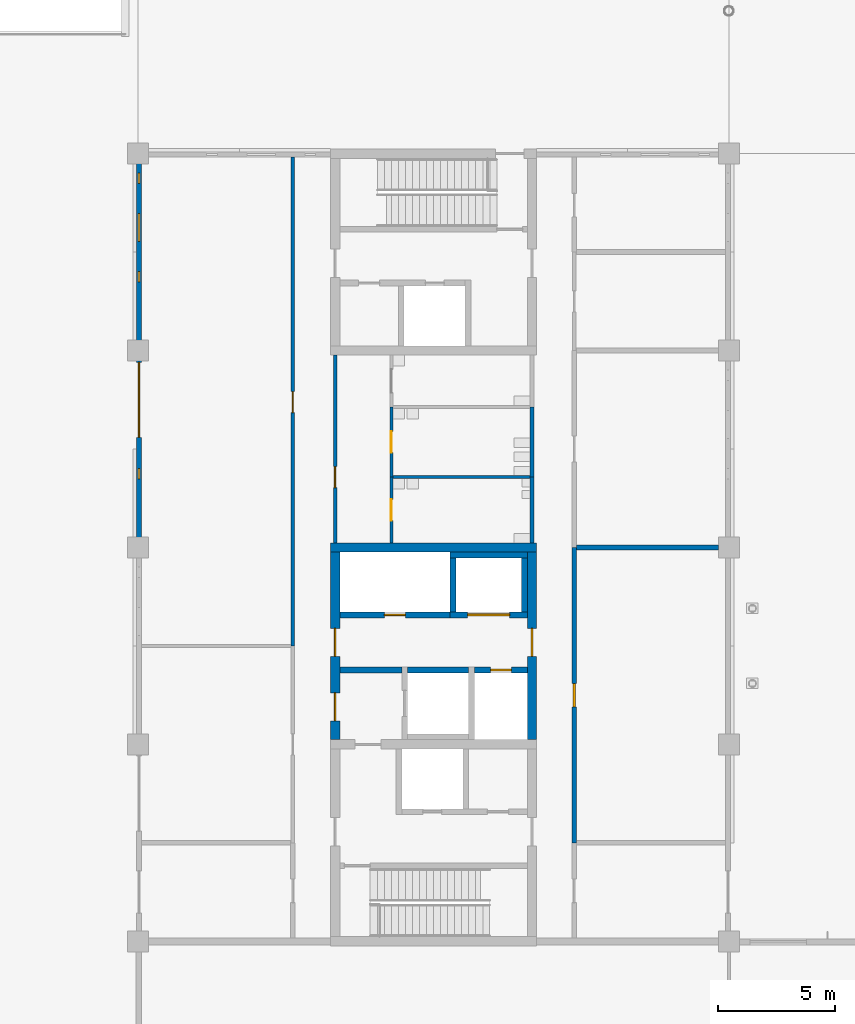
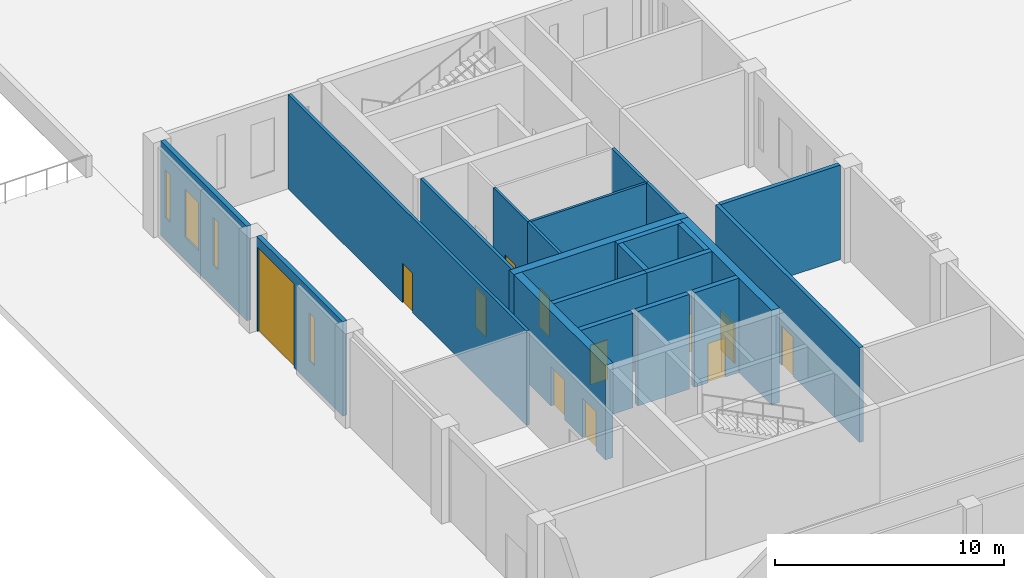
# One storey, part 35 of 76: 22 walls, 12 doors, 4 windows, 16 openings.
"""IFC4 building model written with IfcOpenShell, lengths in metres."""

from ifc_helpers import new_model, si_unit, direction, frame, frame_2d, origin, place, context, subcontext, project, spatial, rectangle, extrude, material, layer, layer_set, type_object, element, fill, save


model = new_model("IFC4")

# Units and contexts
model_context = context("Model", 3, precision=1e-05, world=origin(), true_north=direction((0.0, 1.0)))
body_context = subcontext(model_context, "Body", "Model", "MODEL_VIEW")
ifc_project = project(units=[si_unit("LENGTHUNIT", "METRE"), si_unit("AREAUNIT", "SQUARE_METRE"), si_unit("VOLUMEUNIT", "CUBIC_METRE"), si_unit("PLANEANGLEUNIT", "RADIAN"), si_unit("MASSUNIT", "GRAM", prefix="KILO")], contexts=[model_context])

# Site, building, storey
site_placement = place(None, origin())
site = spatial("IfcSite", under=ifc_project, at=site_placement, CompositionType="ELEMENT")
building_placement = place(site_placement, origin())
building = spatial("IfcBuilding", under=site, at=building_placement, Name="Hlaing Beacon Police Headquarters", CompositionType="ELEMENT")
storey_placement = place(building_placement, origin())
storey = spatial("IfcBuildingStorey", under=building, at=storey_placement, Name="L00", CompositionType="ELEMENT", Elevation=0.0)

# Wall
ifc_material_1 = material(Name="Concrete C60/75", Category="concrete")
ifc_layer_1 = layer(ifc_material_1, 0.39990234375)
ifc_layer_set_1 = layer_set([ifc_layer_1], Name="Concrete C60/75")
wall_type_1 = type_object("IfcWallType", Name="Core shear wall 400", PredefinedType="SHEAR", material=ifc_layer_set_1)
wall_1_placement = place(storey_placement, frame((16.60009765625, 50.39990234375, 0.0), z_axis=(0.0, 0.0, 1.0), x_axis=(1.0, 0.0, 0.0)))
element("IfcWall", 1, at=wall_1_placement, inside=storey, type_object=wall_type_1, Name="Core shear wall", PredefinedType="SHEAR", context=body_context, shape_type="SweptSolid", body=[
    extrude(rectangle(XDim=8.7998046875, YDim=0.39990234375, at=frame_2d((4.39990234375, 0.0))), origin(), (0.0, 0.0, 1.0), 5.050048828125),
])

# Wall, openings, doors
wall_2_placement = place(storey_placement, frame((16.800048828125, 42.199951171875, 0.0), z_axis=(0.0, 0.0, 1.0), x_axis=(0.0, 1.0, 0.0)))
wall_2 = element("IfcWall", 2, at=wall_2_placement, inside=storey, type_object=wall_type_1, Name="Core shear wall", PredefinedType="SHEAR", context=body_context, shape_type="SweptSolid", body=[
    extrude(rectangle(XDim=8.0, YDim=0.39990234375, at=frame_2d((4.0, 0.0))), origin(), (0.0, 0.0, 1.0), 5.050048828125),
])
opening_1_placement = place(wall_2_placement, frame((3.550048828125, 0.0, 0.0)))
opening_1 = element("IfcOpeningElement", 3, at=opening_1_placement, cuts=wall_2, Name="Opening L00-960", PredefinedType="OPENING", context=body_context, shape_type="SweptSolid", body=[
    extrude(rectangle(XDim=1.199951171875, YDim=2.10009765625, at=frame_2d((0.60009765625, 1.050048828125))), frame((0.0, 0.2099609375, 0.0), z_axis=(0.0, -1.0, 0.0), x_axis=(1.0, 0.0, 0.0)), (0.0, 0.0, 1.0), 0.419921875),
])
opening_2_placement = place(wall_2_placement, frame((0.800048828125, 0.0, 0.0)))
opening_2 = element("IfcOpeningElement", 4, at=opening_2_placement, cuts=wall_2, Name="Opening L00-962", PredefinedType="OPENING", context=body_context, shape_type="SweptSolid", body=[
    extrude(rectangle(XDim=1.199951171875, YDim=2.10009765625, at=frame_2d((0.60009765625, 1.050048828125))), frame((0.0, 0.2099609375, 0.0), z_axis=(0.0, -1.0, 0.0), x_axis=(1.0, 0.0, 0.0)), (0.0, 0.0, 1.0), 0.419921875),
])
ifc_material_2 = material(Name="Steel fire door leaf", Category="steel")
ifc_layer_2 = layer(ifc_material_2, 0.070068359375)
ifc_layer_set_2 = layer_set([ifc_layer_2], Name="Steel fire door leaf")
door_type_1 = type_object("IfcDoorType", Name="Steel fire door FD60S 1200x2100", OperationType="SINGLE_SWING_LEFT", PredefinedType="DOOR", material=ifc_layer_set_2)
door_1_placement = place(opening_1_placement, frame((1.199951171875, 0.0, 0.0), z_axis=(0.0, 0.0, 1.0), x_axis=(-1.0, 0.0, 0.0)))
door_1 = element("IfcDoor", 5, at=door_1_placement, inside=storey, type_object=door_type_1, Name="Door Lift Lobby Entry", OperationType="SINGLE_SWING_RIGHT", OverallHeight=2.10009765625, OverallWidth=1.199951171875, PredefinedType="DOOR", context=body_context, shape_type="SweptSolid", body=[
    extrude(rectangle(XDim=1.199951171875, YDim=2.10009765625, at=frame_2d((0.599853515625, 1.050048828125))), frame((0.0, 0.034912109375, 0.0), z_axis=(0.0, -1.0, 0.0), x_axis=(1.0, 0.0, 0.0)), (0.0, 0.0, 1.0), 0.070068359375),
])
fill(opening_1, door_1)
door_2_placement = place(opening_2_placement, frame((1.199951171875, 0.0, 0.0), z_axis=(0.0, 0.0, 1.0), x_axis=(-1.0, 0.0, 0.0)))
door_2 = element("IfcDoor", 6, at=door_2_placement, inside=storey, type_object=door_type_1, Name="Door Firefighting Lobby Entry", OperationType="SINGLE_SWING_LEFT", OverallHeight=2.10009765625, OverallWidth=1.199951171875, PredefinedType="DOOR", context=body_context, shape_type="SweptSolid", body=[
    extrude(rectangle(XDim=1.199951171875, YDim=2.10009765625, at=frame_2d((0.599853515625, 1.050048828125))), frame((0.0, 0.034912109375, 0.0), z_axis=(0.0, -1.0, 0.0), x_axis=(1.0, 0.0, 0.0)), (0.0, 0.0, 1.0), 0.070068359375),
])
fill(opening_2, door_2)

# Wall, opening, door
wall_3_placement = place(storey_placement, frame((25.199951171875, 42.199951171875, 0.0), z_axis=(0.0, 0.0, 1.0), x_axis=(0.0, 1.0, 0.0)))
wall_3 = element("IfcWall", 7, at=wall_3_placement, inside=storey, type_object=wall_type_1, Name="Core shear wall", PredefinedType="SHEAR", context=body_context, shape_type="SweptSolid", body=[
    extrude(rectangle(XDim=8.0, YDim=0.39990234375, at=frame_2d((4.0, 0.0))), origin(), (0.0, 0.0, 1.0), 5.050048828125),
])
opening_3_placement = place(wall_3_placement, frame((3.550048828125, 0.0, 0.0)))
opening_3 = element("IfcOpeningElement", 8, at=opening_3_placement, cuts=wall_3, Name="Opening L00-961", PredefinedType="OPENING", context=body_context, shape_type="SweptSolid", body=[
    extrude(rectangle(XDim=1.199951171875, YDim=2.10009765625, at=frame_2d((0.60009765625, 1.050048828125))), frame((0.0, 0.2099609375, 0.0), z_axis=(0.0, -1.0, 0.0), x_axis=(1.0, 0.0, 0.0)), (0.0, 0.0, 1.0), 0.419921875),
])
door_3_placement = place(opening_3_placement, origin())
door_3 = element("IfcDoor", 9, at=door_3_placement, inside=storey, type_object=door_type_1, Name="Door Lift Lobby Entry", OperationType="SINGLE_SWING_LEFT", OverallHeight=2.10009765625, OverallWidth=1.199951171875, PredefinedType="DOOR", context=body_context, shape_type="SweptSolid", body=[
    extrude(rectangle(XDim=1.199951171875, YDim=2.10009765625, at=frame_2d((0.60009765625, 1.050048828125))), frame((0.0, 0.03515625, 0.0), z_axis=(0.0, -1.0, 0.0), x_axis=(1.0, 0.0, 0.0)), (0.0, 0.0, 1.0), 0.070068359375),
])
fill(opening_3, door_3)

# Walls
ifc_material_3 = material(Name="Gypsum board partition")
ifc_layer_3 = layer(ifc_material_3, 0.14990234375)
ifc_layer_set_3 = layer_set([ifc_layer_3], Name="Gypsum board partition")
wall_type_2 = type_object("IfcWallType", Name="Corridor wall EI 30 150", PredefinedType="PARTITIONING", material=ifc_layer_set_3)
wall_4_placement = place(storey_placement, frame((25.199951171875, 53.39990234375, 0.0), z_axis=(0.0, 0.0, 1.0), x_axis=(0.0, 1.0, 0.0)))
element("IfcWall", 10, at=wall_4_placement, inside=storey, type_object=wall_type_2, Name="Corridor wall EI 30 150", PredefinedType="PARTITIONING", context=body_context, shape_type="SweptSolid", body=[
    extrude(rectangle(XDim=3.0, YDim=0.14990234375, at=frame_2d((1.5, 0.0))), origin(), (0.0, 0.0, 1.0), 5.050048828125),
])
wall_5_placement = place(storey_placement, frame((25.199951171875, 50.60009765625, 0.0), z_axis=(0.0, 0.0, 1.0), x_axis=(0.0, 1.0, 0.0)))
element("IfcWall", 11, at=wall_5_placement, inside=storey, type_object=wall_type_2, Name="Corridor wall EI 30 150", PredefinedType="PARTITIONING", context=body_context, shape_type="SweptSolid", body=[
    extrude(rectangle(XDim=2.7998046875, YDim=0.14990234375, at=frame_2d((1.39990234375, 0.0))), origin(), (0.0, 0.0, 1.0), 5.050048828125),
])

# Wall, opening, door
wall_6_placement = place(storey_placement, frame((16.800048828125, 50.60009765625, 0.0), z_axis=(0.0, 0.0, 1.0), x_axis=(0.0, 1.0, 0.0)))
wall_6 = element("IfcWall", 12, at=wall_6_placement, inside=storey, type_object=wall_type_2, Name="Corridor wall EI 30 150", PredefinedType="PARTITIONING", context=body_context, shape_type="SweptSolid", body=[
    extrude(rectangle(XDim=8.0, YDim=0.14990234375, at=frame_2d((4.0, 0.0))), origin(), (0.0, 0.0, 1.0), 5.050048828125),
])
opening_4_placement = place(wall_6_placement, frame((2.35009765625, 0.0, 0.0)))
opening_4 = element("IfcOpeningElement", 13, at=opening_4_placement, cuts=wall_6, Name="Opening L00-071", PredefinedType="OPENING", context=body_context, shape_type="SweptSolid", body=[
    extrude(rectangle(XDim=0.89990234375, YDim=2.10009765625, at=frame_2d((0.449951171875, 1.050048828125))), frame((0.0, 0.0849609375, 0.0), z_axis=(0.0, -1.0, 0.0), x_axis=(1.0, 0.0, 0.0)), (0.0, 0.0, 1.0), 0.169921875),
])
ifc_material_4 = material(Name="Hardwood door leaf", Category="wood")
ifc_layer_4 = layer(ifc_material_4, 0.050048828125)
ifc_layer_set_4 = layer_set([ifc_layer_4], Name="Hardwood door leaf")
door_type_2 = type_object("IfcDoorType", Name="Fire door FD30S 900x2100", OperationType="SINGLE_SWING_LEFT", PredefinedType="DOOR", material=ifc_layer_set_4)
door_4_placement = place(opening_4_placement, frame((0.89990234375, 0.0, 0.0), z_axis=(0.0, 0.0, 1.0), x_axis=(-1.0, 0.0, 0.0)))
door_4 = element("IfcDoor", 14, at=door_4_placement, inside=storey, type_object=door_type_2, Name="Door WC Lobby", OperationType="SINGLE_SWING_LEFT", OverallHeight=2.10009765625, OverallWidth=0.89990234375, PredefinedType="DOOR", context=body_context, shape_type="SweptSolid", body=[
    extrude(rectangle(XDim=0.89990234375, YDim=2.10009765625, at=frame_2d((0.449951171875, 1.050048828125))), frame((0.0, 0.025146484375, 0.0), z_axis=(0.0, -1.0, 0.0), x_axis=(1.0, 0.0, 0.0)), (0.0, 0.0, 1.0), 0.050048828125),
])
fill(opening_4, door_4)

wall_7_placement = place(storey_placement, frame((15.0, 46.199951171875, 0.0), z_axis=(0.0, 0.0, 1.0), x_axis=(0.0, 1.0, 0.0)))
wall_7 = element("IfcWall", 15, at=wall_7_placement, inside=storey, type_object=wall_type_2, Name="Corridor wall EI 30 150", PredefinedType="PARTITIONING", context=body_context, shape_type="SweptSolid", body=[
    extrude(rectangle(XDim=20.85009765625, YDim=0.14990234375, at=frame_2d((10.425048828125, 0.0))), origin(), (0.0, 0.0, 1.0), 5.050048828125),
])
opening_5_placement = place(wall_7_placement, frame((9.949951171875, 0.0, 0.0)))
opening_5 = element("IfcOpeningElement", 16, at=opening_5_placement, cuts=wall_7, Name="Opening L00-075", PredefinedType="OPENING", context=body_context, shape_type="SweptSolid", body=[
    extrude(rectangle(XDim=0.89990234375, YDim=2.10009765625, at=frame_2d((0.449951171875, 1.050048828125))), frame((0.0, 0.0849609375, 0.0), z_axis=(0.0, -1.0, 0.0), x_axis=(1.0, 0.0, 0.0)), (0.0, 0.0, 1.0), 0.169921875),
])
door_5_placement = place(opening_5_placement, origin())
door_5 = element("IfcDoor", 17, at=door_5_placement, inside=storey, type_object=door_type_2, Name="Door Vehicle Examination Bay", OperationType="SINGLE_SWING_LEFT", OverallHeight=2.10009765625, OverallWidth=0.89990234375, PredefinedType="DOOR", context=body_context, shape_type="SweptSolid", body=[
    extrude(rectangle(XDim=0.89990234375, YDim=2.10009765625, at=frame_2d((0.449951171875, 1.050048828125))), frame((0.0, 0.02490234375, 0.0), z_axis=(0.0, -1.0, 0.0), x_axis=(1.0, 0.0, 0.0)), (0.0, 0.0, 1.0), 0.050048828125),
])
fill(opening_5, door_5)

ifc_material_5 = material(Name="Concrete blockwork 7.5 N/mm2", Category="masonry")
ifc_layer_5 = layer(ifc_material_5, 0.199951171875)
ifc_layer_set_5 = layer_set([ifc_layer_5], Name="Concrete blockwork 7.5 N/mm2")
wall_type_3 = type_object("IfcWallType", Name="Evidence store wall EI 60 200", PredefinedType="PARTITIONING", material=ifc_layer_set_5)
wall_8_placement = place(storey_placement, frame((27.0, 37.800048828125, 0.0), z_axis=(0.0, 0.0, 1.0), x_axis=(0.0, 1.0, 0.0)))
wall_8 = element("IfcWall", 18, at=wall_8_placement, inside=storey, type_object=wall_type_3, Name="Evidence store wall EI 60 200", PredefinedType="PARTITIONING", context=body_context, shape_type="SweptSolid", body=[
    extrude(rectangle(XDim=12.599853515625, YDim=0.199951171875, at=frame_2d((6.2998046875, 0.0))), origin(), (0.0, 0.0, 1.0), 5.050048828125),
])
opening_6_placement = place(wall_8_placement, frame((5.800048828125, 0.0, 0.0)))
opening_6 = element("IfcOpeningElement", 19, at=opening_6_placement, cuts=wall_8, Name="Opening L00-065", PredefinedType="OPENING", context=body_context, shape_type="SweptSolid", body=[
    extrude(rectangle(XDim=1.0, YDim=2.10009765625, at=frame_2d((0.5, 1.050048828125))), frame((0.0, 0.10986328125, 0.0), z_axis=(0.0, -1.0, 0.0), x_axis=(1.0, 0.0, 0.0)), (0.0, 0.0, 1.0), 0.219970703125),
])
ifc_material_6 = material(Name="Steel vault door leaf", Category="steel")
ifc_layer_6 = layer(ifc_material_6, 0.110107421875)
ifc_layer_set_6 = layer_set([ifc_layer_6], Name="Steel vault door leaf")
door_type_3 = type_object("IfcDoorType", Name="Steel vault door FD60 1000x2100", OperationType="SINGLE_SWING_LEFT", PredefinedType="DOOR", material=ifc_layer_set_6)
door_6_placement = place(opening_6_placement, frame((1.0, 0.0, 0.0), z_axis=(0.0, 0.0, 1.0), x_axis=(-1.0, 0.0, 0.0)))
door_6 = element("IfcDoor", 20, at=door_6_placement, inside=storey, type_object=door_type_3, Name="Door Evidence Reception and Exhibit Store", OperationType="SINGLE_SWING_LEFT", OverallHeight=2.10009765625, OverallWidth=1.0, PredefinedType="DOOR", context=body_context, shape_type="SweptSolid", body=[
    extrude(rectangle(XDim=1.0, YDim=2.10009765625, at=frame_2d((0.5, 1.050048828125))), frame((0.0, 0.054931640625, 0.0), z_axis=(0.0, -1.0, 0.0), x_axis=(1.0, 0.0, 0.0)), (0.0, 0.0, 1.0), 0.110107421875),
])
fill(opening_6, door_6)

# Wall
wall_9_placement = place(storey_placement, frame((27.10009765625, 50.39990234375, 0.0), z_axis=(0.0, 0.0, 1.0), x_axis=(1.0, 0.0, 0.0)))
element("IfcWall", 21, at=wall_9_placement, inside=storey, type_object=wall_type_3, Name="Evidence store wall EI 60 200", PredefinedType="PARTITIONING", context=body_context, shape_type="SweptSolid", body=[
    extrude(rectangle(XDim=6.0498046875, YDim=0.199951171875, at=frame_2d((3.02490234375, 0.0))), origin(), (0.0, 0.0, 1.0), 5.050048828125),
])

# Wall, opening, door
ifc_material_7 = material(Name="Gypsum board partition")
ifc_layer_7 = layer(ifc_material_7, 0.125)
ifc_layer_set_7 = layer_set([ifc_layer_7], Name="Gypsum board partition")
wall_type_4 = type_object("IfcWallType", Name="Partition 125", PredefinedType="PARTITIONING", material=ifc_layer_set_7)
wall_10_placement = place(storey_placement, frame((19.199951171875, 53.39990234375, 0.0), z_axis=(0.0, 0.0, 1.0), x_axis=(0.0, 1.0, 0.0)))
wall_10 = element("IfcWall", 22, at=wall_10_placement, inside=storey, type_object=wall_type_4, Name="Partition 125", PredefinedType="PARTITIONING", context=body_context, shape_type="SweptSolid", body=[
    extrude(rectangle(XDim=3.0, YDim=0.125, at=frame_2d((1.5, 0.0))), origin(), (0.0, 0.0, 1.0), 5.050048828125),
])
opening_7_placement = place(wall_10_placement, frame((1.050048828125, 0.0, 0.0)))
opening_7 = element("IfcOpeningElement", 23, at=opening_7_placement, cuts=wall_10, Name="Opening L00-070", PredefinedType="OPENING", context=body_context, shape_type="SweptSolid", body=[
    extrude(rectangle(XDim=0.89990234375, YDim=2.10009765625, at=frame_2d((0.449951171875, 1.050048828125))), frame((0.0, 0.072509765625, 0.0), z_axis=(0.0, -1.0, 0.0), x_axis=(1.0, 0.0, 0.0)), (0.0, 0.0, 1.0), 0.14501953125),
])
ifc_material_8 = material(Name="Hardwood door leaf", Category="wood")
ifc_layer_8 = layer(ifc_material_8, 0.0400390625)
ifc_layer_set_8 = layer_set([ifc_layer_8], Name="Hardwood door leaf")
door_type_4 = type_object("IfcDoorType", Name="Door 900x2100", OperationType="SINGLE_SWING_LEFT", PredefinedType="DOOR", material=ifc_layer_set_8)
door_7_placement = place(opening_7_placement, frame((0.89990234375, 0.0, 0.0), z_axis=(0.0, 0.0, 1.0), x_axis=(-1.0, 0.0, 0.0)))
door_7 = element("IfcDoor", 24, at=door_7_placement, inside=storey, type_object=door_type_4, Name="Door Female WC", OperationType="SINGLE_SWING_RIGHT", OverallHeight=2.10009765625, OverallWidth=0.89990234375, PredefinedType="DOOR", context=body_context, shape_type="SweptSolid", body=[
    extrude(rectangle(XDim=0.89990234375, YDim=2.10009765625, at=frame_2d((0.449951171875, 1.050048828125))), frame((0.0, 0.02001953125, 0.0), z_axis=(0.0, -1.0, 0.0), x_axis=(1.0, 0.0, 0.0)), (0.0, 0.0, 1.0), 0.0400390625),
])
fill(opening_7, door_7)

# Wall
wall_11_placement = place(storey_placement, frame((19.261962890625, 53.39990234375, 0.0), z_axis=(0.0, 0.0, 1.0), x_axis=(1.0, 0.0, 0.0)))
element("IfcWall", 25, at=wall_11_placement, inside=storey, type_object=wall_type_4, Name="Partition 125", PredefinedType="PARTITIONING", context=body_context, shape_type="SweptSolid", body=[
    extrude(rectangle(XDim=5.863037109375, YDim=0.125, at=frame_2d((2.931640625, 0.0))), origin(), (0.0, 0.0, 1.0), 5.050048828125),
])

# Wall, opening, door
wall_12_placement = place(storey_placement, frame((19.199951171875, 50.60009765625, 0.0), z_axis=(0.0, 0.0, 1.0), x_axis=(0.0, 1.0, 0.0)))
wall_12 = element("IfcWall", 26, at=wall_12_placement, inside=storey, type_object=wall_type_4, Name="Partition 125", PredefinedType="PARTITIONING", context=body_context, shape_type="SweptSolid", body=[
    extrude(rectangle(XDim=2.7998046875, YDim=0.125, at=frame_2d((1.39990234375, 0.0))), origin(), (0.0, 0.0, 1.0), 5.050048828125),
])
opening_8_placement = place(wall_12_placement, frame((0.949951171875, 0.0, 0.0)))
opening_8 = element("IfcOpeningElement", 27, at=opening_8_placement, cuts=wall_12, Name="Opening L00-072", PredefinedType="OPENING", context=body_context, shape_type="SweptSolid", body=[
    extrude(rectangle(XDim=0.89990234375, YDim=2.10009765625, at=frame_2d((0.449951171875, 1.050048828125))), frame((0.0, 0.072509765625, 0.0), z_axis=(0.0, -1.0, 0.0), x_axis=(1.0, 0.0, 0.0)), (0.0, 0.0, 1.0), 0.14501953125),
])
door_8_placement = place(opening_8_placement, frame((0.89990234375, 0.0, 0.0), z_axis=(0.0, 0.0, 1.0), x_axis=(-1.0, 0.0, 0.0)))
door_8 = element("IfcDoor", 28, at=door_8_placement, inside=storey, type_object=door_type_4, Name="Door Male WC", OperationType="SINGLE_SWING_RIGHT", OverallHeight=2.10009765625, OverallWidth=0.89990234375, PredefinedType="DOOR", context=body_context, shape_type="SweptSolid", body=[
    extrude(rectangle(XDim=0.89990234375, YDim=2.10009765625, at=frame_2d((0.449951171875, 1.050048828125))), frame((0.0, 0.02001953125, 0.0), z_axis=(0.0, -1.0, 0.0), x_axis=(1.0, 0.0, 0.0)), (0.0, 0.0, 1.0), 0.0400390625),
])
fill(opening_8, door_8)

# Wall, openings, windows
ifc_material_9 = material(Name="Fibre cement ribbed cladding on insulated frame")
ifc_layer_9 = layer(ifc_material_9, 0.22509765625)
ifc_layer_set_9 = layer_set([ifc_layer_9], Name="Fibre cement ribbed cladding on insulated frame")
wall_type_5 = type_object("IfcWallType", Name="Ribbed fibre-cement clad wall 225", PredefinedType="SOLIDWALL", material=ifc_layer_set_9)
wall_13_placement = place(storey_placement, frame((8.4375, 66.77001953125, 0.0), z_axis=(0.0, 0.0, 1.0), x_axis=(0.0, -1.0, 0.0)))
wall_13 = element("IfcWall", 29, at=wall_13_placement, inside=storey, type_object=wall_type_5, Name="External wall L00 W010", PredefinedType="SOLIDWALL", context=body_context, shape_type="SweptSolid", body=[
    extrude(rectangle(XDim=7.5400390625, YDim=0.22509765625, at=frame_2d((3.77001953125, 0.0))), origin(), (0.0, 0.0, 1.0), 5.050048828125),
])
opening_9_placement = place(wall_13_placement, frame((0.39501953125, 0.0, 1.199951171875)))
opening_9 = element("IfcOpeningElement", 30, at=opening_9_placement, cuts=wall_13, Name="Opening WN6", PredefinedType="OPENING", context=body_context, shape_type="SweptSolid", body=[
    extrude(rectangle(XDim=0.449951171875, YDim=2.550048828125, at=frame_2d((0.22509765625, 1.27490234375))), frame((0.0, 0.12255859375, 0.0), z_axis=(0.0, -1.0, 0.0), x_axis=(1.0, 0.0, 0.0)), (0.0, 0.0, 1.0), 0.2451171875),
])
opening_10_placement = place(wall_13_placement, frame((2.1201171875, 0.0, 1.199951171875)))
opening_10 = element("IfcOpeningElement", 31, at=opening_10_placement, cuts=wall_13, Name="Opening WN7", PredefinedType="OPENING", context=body_context, shape_type="SweptSolid", body=[
    extrude(rectangle(XDim=1.199951171875, YDim=2.550048828125, at=frame_2d((0.60009765625, 1.27490234375))), frame((0.0, 0.12255859375, 0.0), z_axis=(0.0, -1.0, 0.0), x_axis=(1.0, 0.0, 0.0)), (0.0, 0.0, 1.0), 0.2451171875),
])
opening_11_placement = place(wall_13_placement, frame((4.594970703125, 0.0, 1.199951171875)))
opening_11 = element("IfcOpeningElement", 32, at=opening_11_placement, cuts=wall_13, Name="Opening WN6", PredefinedType="OPENING", context=body_context, shape_type="SweptSolid", body=[
    extrude(rectangle(XDim=0.449951171875, YDim=2.550048828125, at=frame_2d((0.22509765625, 1.27490234375))), frame((0.0, 0.12255859375, 0.0), z_axis=(0.0, -1.0, 0.0), x_axis=(1.0, 0.0, 0.0)), (0.0, 0.0, 1.0), 0.2451171875),
])
ifc_material_10 = material(Name="Aluminium frame with solar control glazing", Category="aluminium")
window_type_1 = type_object("IfcWindowType", Name="Module window 1200x2550 frame 100", PartitioningType="SINGLE_PANEL", PredefinedType="WINDOW", material=ifc_material_10)
window_1_placement = place(opening_10_placement, origin())
window_1 = element("IfcWindow", 33, at=window_1_placement, inside=storey, type_object=window_type_1, Name="Window L00 WC", OverallHeight=2.550048828125, OverallWidth=1.199951171875, PartitioningType="SINGLE_PANEL", PredefinedType="WINDOW", context=body_context, shape_type="SweptSolid", body=[
    extrude(rectangle(XDim=1.199951171875, YDim=2.550048828125, at=frame_2d((0.60009765625, 1.27490234375))), frame((0.0, 0.050048828125, 0.0), z_axis=(0.0, -1.0, 0.0), x_axis=(1.0, 0.0, 0.0)), (0.0, 0.0, 1.0), 0.10009765625),
])
fill(opening_10, window_1)
ifc_material_11 = material(Name="Aluminium frame with solar control glazing", Category="aluminium")
window_type_2 = type_object("IfcWindowType", Name="Slot window 450x2550 frame 100", PartitioningType="SINGLE_PANEL", PredefinedType="WINDOW", material=ifc_material_11)
window_2_placement = place(opening_9_placement, origin())
window_2 = element("IfcWindow", 34, at=window_2_placement, inside=storey, type_object=window_type_2, Name="Window L00 WS", OverallHeight=2.550048828125, OverallWidth=0.449951171875, PartitioningType="SINGLE_PANEL", PredefinedType="WINDOW", context=body_context, shape_type="SweptSolid", body=[
    extrude(rectangle(XDim=0.449951171875, YDim=2.550048828125, at=frame_2d((0.22509765625, 1.27490234375))), frame((0.0, 0.050048828125, 0.0), z_axis=(0.0, -1.0, 0.0), x_axis=(1.0, 0.0, 0.0)), (0.0, 0.0, 1.0), 0.10009765625),
])
fill(opening_9, window_2)
window_3_placement = place(opening_11_placement, origin())
window_3 = element("IfcWindow", 35, at=window_3_placement, inside=storey, type_object=window_type_2, Name="Window L00 WS", OverallHeight=2.550048828125, OverallWidth=0.449951171875, PartitioningType="SINGLE_PANEL", PredefinedType="WINDOW", context=body_context, shape_type="SweptSolid", body=[
    extrude(rectangle(XDim=0.449951171875, YDim=2.550048828125, at=frame_2d((0.22509765625, 1.27490234375))), frame((0.0, 0.050048828125, 0.0), z_axis=(0.0, -1.0, 0.0), x_axis=(1.0, 0.0, 0.0)), (0.0, 0.0, 1.0), 0.10009765625),
])
fill(opening_11, window_3)

# Wall, openings, window, door
wall_14_placement = place(storey_placement, frame((8.4375, 58.3701171875, 0.0), z_axis=(0.0, 0.0, 1.0), x_axis=(0.0, -1.0, 0.0)))
wall_14 = element("IfcWall", 36, at=wall_14_placement, inside=storey, type_object=wall_type_5, Name="External wall L00 W011", PredefinedType="SOLIDWALL", context=body_context, shape_type="SweptSolid", body=[
    extrude(rectangle(XDim=7.5400390625, YDim=0.22509765625, at=frame_2d((3.77001953125, 0.0))), origin(), (0.0, 0.0, 1.0), 5.050048828125),
])
opening_12_placement = place(wall_14_placement, frame((0.070068359375, 0.0, 0.0)))
opening_12 = element("IfcOpeningElement", 37, at=opening_12_placement, cuts=wall_14, Name="Opening L00-802", PredefinedType="OPENING", context=body_context, shape_type="SweptSolid", body=[
    extrude(rectangle(XDim=3.199951171875, YDim=4.5, at=frame_2d((1.60009765625, 2.25))), frame((0.0, 0.12255859375, 0.0), z_axis=(0.0, -1.0, 0.0), x_axis=(1.0, 0.0, 0.0)), (0.0, 0.0, 1.0), 0.2451171875),
])
opening_13_placement = place(wall_14_placement, frame((4.594970703125, 0.0, 1.199951171875)))
opening_13 = element("IfcOpeningElement", 38, at=opening_13_placement, cuts=wall_14, Name="Opening WN6", PredefinedType="OPENING", context=body_context, shape_type="SweptSolid", body=[
    extrude(rectangle(XDim=0.449951171875, YDim=2.550048828125, at=frame_2d((0.22509765625, 1.27490234375))), frame((0.0, 0.12255859375, 0.0), z_axis=(0.0, -1.0, 0.0), x_axis=(1.0, 0.0, 0.0)), (0.0, 0.0, 1.0), 0.2451171875),
])
window_4_placement = place(opening_13_placement, origin())
window_4 = element("IfcWindow", 39, at=window_4_placement, inside=storey, type_object=window_type_2, Name="Window L00 WS", OverallHeight=2.550048828125, OverallWidth=0.449951171875, PartitioningType="SINGLE_PANEL", PredefinedType="WINDOW", context=body_context, shape_type="SweptSolid", body=[
    extrude(rectangle(XDim=0.449951171875, YDim=2.550048828125, at=frame_2d((0.22509765625, 1.27490234375))), frame((0.0, 0.050048828125, 0.0), z_axis=(0.0, -1.0, 0.0), x_axis=(1.0, 0.0, 0.0)), (0.0, 0.0, 1.0), 0.10009765625),
])
fill(opening_13, window_4)
ifc_material_12 = material(Name="Galvanised steel roller shutter", Category="steel")
door_type_5 = type_object("IfcDoorType", Name="Vehicle gate 3200x4500", OperationType="ROLLINGUP", PredefinedType="GATE", material=ifc_material_12)
door_9_placement = place(opening_12_placement, frame((3.199951171875, 0.0, 0.0), z_axis=(0.0, 0.0, 1.0), x_axis=(-1.0, 0.0, 0.0)))
door_9 = element("IfcDoor", 40, at=door_9_placement, inside=storey, type_object=door_type_5, Name="Door Vehicle Examination Bay", OperationType="ROLLINGUP", OverallHeight=4.5, OverallWidth=3.199951171875, PredefinedType="GATE", context=body_context, shape_type="SweptSolid", body=[
    extrude(rectangle(XDim=3.199951171875, YDim=4.5, at=frame_2d((1.599853515625, 2.25))), frame((0.0, 0.025146484375, 0.0), z_axis=(0.0, -1.0, 0.0), x_axis=(1.0, 0.0, 0.0)), (0.0, 0.0, 1.0), 0.050048828125),
])
fill(opening_12, door_9)

# Wall, opening, door
ifc_material_13 = material(Name="Concrete C40/50", Category="concrete")
ifc_layer_10 = layer(ifc_material_13, 0.25)
ifc_layer_set_10 = layer_set([ifc_layer_10], Name="Concrete C40/50")
wall_type_6 = type_object("IfcWallType", Name="Shaft wall 250", PredefinedType="SOLIDWALL", material=ifc_layer_set_10)
wall_15_placement = place(storey_placement, frame((21.699951171875, 47.52490234375, 0.0), z_axis=(0.0, 0.0, 1.0), x_axis=(-1.0, 0.0, 0.0)))
wall_15 = element("IfcWall", 41, at=wall_15_placement, inside=storey, type_object=wall_type_6, Name="Lobby wall", PredefinedType="SOLIDWALL", context=body_context, shape_type="SweptSolid", body=[
    extrude(rectangle(XDim=4.699951171875, YDim=0.25, at=frame_2d((2.35009765625, 0.0))), origin(), (0.0, 0.0, 1.0), 5.050048828125),
])
opening_14_placement = place(wall_15_placement, frame((1.89990234375, 0.0, 0.0)))
opening_14 = element("IfcOpeningElement", 42, at=opening_14_placement, cuts=wall_15, Name="Opening L00-964", PredefinedType="OPENING", context=body_context, shape_type="SweptSolid", body=[
    extrude(rectangle(XDim=0.89990234375, YDim=2.10009765625, at=frame_2d((0.449951171875, 1.050048828125))), frame((0.0, 0.135009765625, 0.0), z_axis=(0.0, -1.0, 0.0), x_axis=(1.0, 0.0, 0.0)), (0.0, 0.0, 1.0), 0.27001953125),
])
ifc_material_14 = material(Name="Steel fire door leaf", Category="steel")
ifc_layer_11 = layer(ifc_material_14, 0.070068359375)
ifc_layer_set_11 = layer_set([ifc_layer_11], Name="Steel fire door leaf")
door_type_6 = type_object("IfcDoorType", Name="Steel fire door FD60 900x2100", OperationType="SINGLE_SWING_LEFT", PredefinedType="DOOR", material=ifc_layer_set_11)
door_10_placement = place(opening_14_placement, frame((0.89990234375, 0.0, 0.0), z_axis=(0.0, 0.0, 1.0), x_axis=(-1.0, 0.0, 0.0)))
door_10 = element("IfcDoor", 43, at=door_10_placement, inside=storey, type_object=door_type_6, Name="Door Services Riser", OperationType="SINGLE_SWING_RIGHT", OverallHeight=2.10009765625, OverallWidth=0.89990234375, PredefinedType="DOOR", context=body_context, shape_type="SweptSolid", body=[
    extrude(rectangle(XDim=0.89990234375, YDim=2.10009765625, at=frame_2d((0.449951171875, 1.050048828125))), frame((0.0, 0.034912109375, 0.0), z_axis=(0.0, -1.0, 0.0), x_axis=(1.0, 0.0, 0.0)), (0.0, 0.0, 1.0), 0.070068359375),
])
fill(opening_14, door_10)

wall_16_placement = place(storey_placement, frame((25.0, 45.175048828125, 0.0), z_axis=(0.0, 0.0, 1.0), x_axis=(-1.0, 0.0, 0.0)))
wall_16 = element("IfcWall", 44, at=wall_16_placement, inside=storey, type_object=wall_type_6, Name="Lobby wall", PredefinedType="SOLIDWALL", context=body_context, shape_type="SweptSolid", body=[
    extrude(rectangle(XDim=2.25, YDim=0.25, at=frame_2d((1.125, 0.0))), origin(), (0.0, 0.0, 1.0), 5.050048828125),
])
opening_15_placement = place(wall_16_placement, frame((0.675048828125, 0.0, 0.0)))
opening_15 = element("IfcOpeningElement", 45, at=opening_15_placement, cuts=wall_16, Name="Opening L00-965", PredefinedType="OPENING", context=body_context, shape_type="SweptSolid", body=[
    extrude(rectangle(XDim=0.89990234375, YDim=2.10009765625, at=frame_2d((0.449951171875, 1.050048828125))), frame((0.0, 0.135009765625, 0.0), z_axis=(0.0, -1.0, 0.0), x_axis=(1.0, 0.0, 0.0)), (0.0, 0.0, 1.0), 0.27001953125),
])
ifc_material_15 = material(Name="Steel fire door leaf", Category="steel")
ifc_layer_12 = layer(ifc_material_15, 0.10009765625)
ifc_layer_set_12 = layer_set([ifc_layer_12], Name="Steel fire door leaf")
door_type_7 = type_object("IfcDoorType", Name="Steel fire door FD120 900x2100", OperationType="SINGLE_SWING_LEFT", PredefinedType="DOOR", material=ifc_layer_set_12)
door_11_placement = place(opening_15_placement, origin())
door_11 = element("IfcDoor", 46, at=door_11_placement, inside=storey, type_object=door_type_7, Name="Door Electrical Riser Room", OperationType="SINGLE_SWING_LEFT", OverallHeight=2.10009765625, OverallWidth=0.89990234375, PredefinedType="DOOR", context=body_context, shape_type="SweptSolid", body=[
    extrude(rectangle(XDim=0.89990234375, YDim=2.10009765625, at=frame_2d((0.449951171875, 1.050048828125))), frame((0.0, 0.050048828125, 0.0), z_axis=(0.0, -1.0, 0.0), x_axis=(1.0, 0.0, 0.0)), (0.0, 0.0, 1.0), 0.10009765625),
])
fill(opening_15, door_11)

# Walls
wall_17_placement = place(storey_placement, frame((19.64990234375, 45.175048828125, 0.0), z_axis=(0.0, 0.0, 1.0), x_axis=(-1.0, 0.0, 0.0)))
element("IfcWall", 47, at=wall_17_placement, inside=storey, type_object=wall_type_6, Name="Firefighting lobby wall", PredefinedType="SOLIDWALL", context=body_context, shape_type="SweptSolid", body=[
    extrude(rectangle(XDim=2.64990234375, YDim=0.25, at=frame_2d((1.324951171875, 0.0))), origin(), (0.0, 0.0, 1.0), 5.050048828125),
])
wall_18_placement = place(storey_placement, frame((24.875, 47.64990234375, 0.0), z_axis=(0.0, 0.0, 1.0), x_axis=(0.0, 1.0, 0.0)))
element("IfcWall", 48, at=wall_18_placement, inside=storey, type_object=wall_type_6, Name="Lift shaft wall EL1", PredefinedType="SOLIDWALL", context=body_context, shape_type="SweptSolid", body=[
    extrude(rectangle(XDim=2.300048828125, YDim=0.25, at=frame_2d((1.14990234375, 0.0))), origin(), (0.0, 0.0, 1.0), 5.050048828125),
])
wall_19_placement = place(storey_placement, frame((21.699951171875, 50.074951171875, 0.0), z_axis=(0.0, 0.0, 1.0), x_axis=(1.0, 0.0, 0.0)))
element("IfcWall", 49, at=wall_19_placement, inside=storey, type_object=wall_type_6, Name="Lift shaft wall EL1", PredefinedType="SOLIDWALL", context=body_context, shape_type="SweptSolid", body=[
    extrude(rectangle(XDim=3.300048828125, YDim=0.25, at=frame_2d((1.64990234375, 0.0))), origin(), (0.0, 0.0, 1.0), 5.050048828125),
])

# Wall, opening, door
wall_20_placement = place(storey_placement, frame((21.699951171875, 47.52490234375, 0.0), z_axis=(0.0, 0.0, 1.0), x_axis=(1.0, 0.0, 0.0)))
wall_20 = element("IfcWall", 50, at=wall_20_placement, inside=storey, type_object=wall_type_6, Name="Lift shaft wall EL1", PredefinedType="SOLIDWALL", context=body_context, shape_type="SweptSolid", body=[
    extrude(rectangle(XDim=3.300048828125, YDim=0.25, at=frame_2d((1.64990234375, 0.0))), origin(), (0.0, 0.0, 1.0), 5.050048828125),
])
opening_16_placement = place(wall_20_placement, frame((0.75, 0.0, 0.0)))
opening_16 = element("IfcOpeningElement", 51, at=opening_16_placement, cuts=wall_20, Name="Opening LD-EL1-L00", PredefinedType="OPENING", context=body_context, shape_type="SweptSolid", body=[
    extrude(rectangle(XDim=1.800048828125, YDim=2.10009765625, at=frame_2d((0.89990234375, 1.050048828125))), frame((0.0, 0.135009765625, 0.0), z_axis=(0.0, -1.0, 0.0), x_axis=(1.0, 0.0, 0.0)), (0.0, 0.0, 1.0), 0.27001953125),
])
ifc_material_16 = material(Name="Stainless steel lift landing door", Category="steel")
ifc_layer_13 = layer(ifc_material_16, 0.06005859375)
ifc_layer_set_13 = layer_set([ifc_layer_13], Name="Stainless steel lift landing door")
door_type_8 = type_object("IfcDoorType", Name="Lift landing door 1800x2100", OperationType="DOUBLE_DOOR_SLIDING", PredefinedType="DOOR", material=ifc_layer_set_13)
door_12_placement = place(opening_16_placement, origin())
door_12 = element("IfcDoor", 52, at=door_12_placement, inside=storey, type_object=door_type_8, Name="Landing door EL1 L00", OperationType="DOUBLE_DOOR_SLIDING", OverallHeight=2.10009765625, OverallWidth=1.800048828125, PredefinedType="DOOR", context=body_context, shape_type="SweptSolid", body=[
    extrude(rectangle(XDim=1.800048828125, YDim=2.10009765625, at=frame_2d((0.89990234375, 1.050048828125))), frame((0.0, 0.0400390625, 0.0), z_axis=(0.0, -1.0, 0.0), x_axis=(1.0, 0.0, 0.0)), (0.0, 0.0, 1.0), 0.080078125),
])
fill(opening_16, door_12)

# Walls
wall_21_placement = place(storey_placement, frame((21.824951171875, 47.64990234375, 0.0), z_axis=(0.0, 0.0, 1.0), x_axis=(0.0, 1.0, 0.0)))
element("IfcWall", 53, at=wall_21_placement, inside=storey, type_object=wall_type_6, Name="Lift shaft wall EL1", PredefinedType="SOLIDWALL", context=body_context, shape_type="SweptSolid", body=[
    extrude(rectangle(XDim=2.300048828125, YDim=0.25, at=frame_2d((1.14990234375, 0.0))), origin(), (0.0, 0.0, 1.0), 5.050048828125),
])
wall_22_placement = place(storey_placement, frame((19.89990234375, 45.175048828125, 0.0), z_axis=(0.0, 0.0, 1.0), x_axis=(1.0, 0.0, 0.0)))
element("IfcWall", 54, at=wall_22_placement, inside=storey, type_object=wall_type_6, Name="Lift shaft wall FL2", PredefinedType="SOLIDWALL", context=body_context, shape_type="SweptSolid", body=[
    extrude(rectangle(XDim=2.60009765625, YDim=0.25, at=frame_2d((1.300048828125, 0.0))), origin(), (0.0, 0.0, 1.0), 5.050048828125),
])

save(model, "model.ifc")
